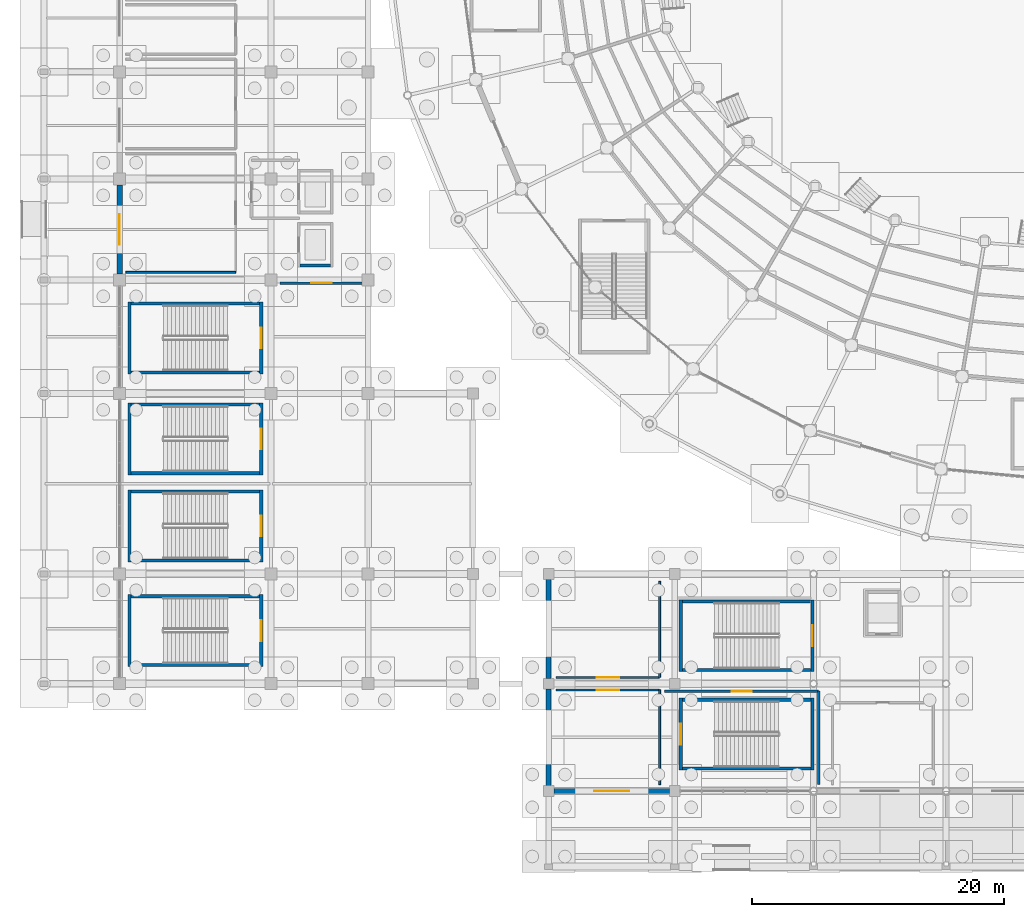
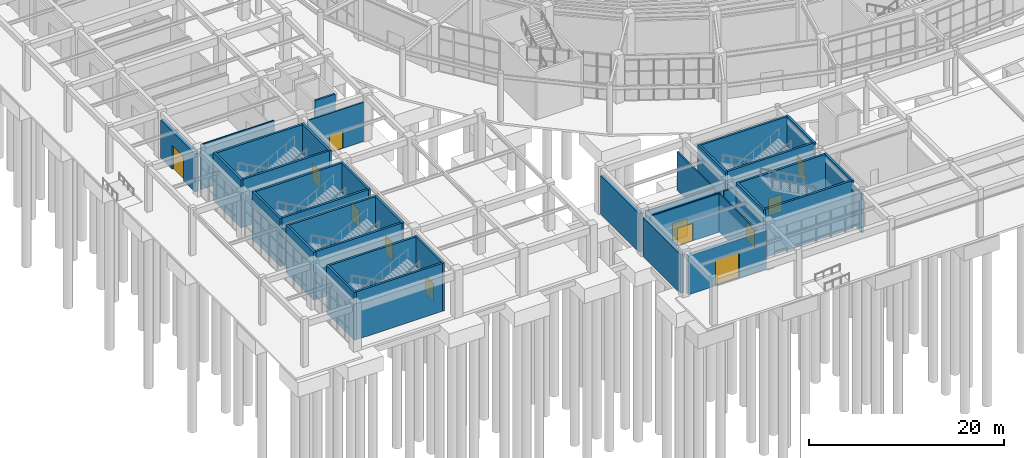
# One storey, part 81 of 121: 37 walls, 12 doors, 12 openings.
"""IFC4 building model written with IfcOpenShell, lengths in metres."""

from ifc_helpers import new_model, si_unit, direction, frame, frame_2d, origin, place, context, subcontext, project, spatial, rectangle, extrude, material, layer, layer_set, type_object, element, fill, save


model = new_model("IFC4")

# Units and contexts
model_context = context("Model", 3, precision=1e-05, world=origin(), true_north=direction((0.0, 1.0)))
body_context = subcontext(model_context, "Body", "Model", "MODEL_VIEW")
ifc_project = project(units=[si_unit("LENGTHUNIT", "METRE"), si_unit("AREAUNIT", "SQUARE_METRE"), si_unit("VOLUMEUNIT", "CUBIC_METRE"), si_unit("PLANEANGLEUNIT", "RADIAN"), si_unit("MASSUNIT", "GRAM", prefix="KILO")], contexts=[model_context])

# Site, building, storey
site_placement = place(None, origin())
site = spatial("IfcSite", under=ifc_project, at=site_placement, CompositionType="ELEMENT")
building_placement = place(site_placement, origin())
building = spatial("IfcBuilding", under=site, at=building_placement, Name="Cuetzalor Civic Arena", CompositionType="ELEMENT")
storey_placement = place(building_placement, origin())
storey = spatial("IfcBuildingStorey", under=building, at=storey_placement, Name="L00", CompositionType="ELEMENT", Elevation=0.0)

# Wall, opening, door
ifc_material_1 = material(Name="Acoustic steel-stud gypsum partition", Category="steel")
ifc_layer_1 = layer(ifc_material_1, 0.14990234375)
ifc_layer_set_1 = layer_set([ifc_layer_1], Name="Acoustic steel-stud gypsum partition")
wall_type_1 = type_object("IfcWallType", Name="AcousticGypsumPartition_150", PredefinedType="PARTITIONING", material=ifc_layer_set_1)
wall_1_placement = place(storey_placement, frame((-41.39990234375, -57.5, 0.0), z_axis=(0.0, 0.0, 1.0), x_axis=(1.0, 0.0, 0.0)))
wall_1 = element("IfcWall", 1, at=wall_1_placement, inside=storey, type_object=wall_type_1, Name="Interior Partition IWALL:L00:0073", PredefinedType="PARTITIONING", context=body_context, shape_type="SweptSolid", body=[
    extrude(rectangle(XDim=8.199951171875, YDim=0.14990234375, at=frame_2d((4.10009765625, 0.0))), origin(), (0.0, 0.0, 1.0), 4.824951171875),
])
opening_1_placement = place(wall_1_placement, frame((3.199951171875, 0.0, 0.0)))
opening_1 = element("IfcOpeningElement", 2, at=opening_1_placement, cuts=wall_1, Name="Opening ID-06", PredefinedType="OPENING", context=body_context, shape_type="SweptSolid", body=[
    extrude(rectangle(XDim=1.800048828125, YDim=2.199951171875, at=frame_2d((0.89990234375, 1.10009765625))), frame((0.0, 0.0849609375, 0.0), z_axis=(0.0, -1.0, 0.0), x_axis=(1.0, 0.0, 0.0)), (0.0, 0.0, 1.0), 0.169921875),
])
ifc_material_2 = material(Name="Glazed bronze acoustic double door", Category="metal")
door_type_1 = type_object("IfcDoorType", Name="PublicDoubleDoor_1800x2200", OperationType="DOUBLE_DOOR_SINGLE_SWING", PredefinedType="DOOR", material=ifc_material_2)
door_1_placement = place(opening_1_placement, origin())
door_1 = element("IfcDoor", 3, at=door_1_placement, inside=storey, type_object=door_type_1, Name="Door to Ticketing Hall West", OperationType="DOUBLE_DOOR_SINGLE_SWING", OverallHeight=2.199951171875, OverallWidth=1.800048828125, PredefinedType="DOOR", context=body_context, shape_type="SweptSolid", body=[
    extrude(rectangle(XDim=1.800048828125, YDim=2.199951171875, at=frame_2d((0.89990234375, 1.10009765625))), frame((0.0, 0.02490234375, 0.0), z_axis=(0.0, -1.0, 0.0), x_axis=(1.0, 0.0, 0.0)), (0.0, 0.0, 1.0), 0.050048828125),
])
fill(opening_1, door_1)

# Wall
wall_2_placement = place(storey_placement, frame((-33.199951171875, -57.5, 0.0), z_axis=(0.0, 0.0, 1.0), x_axis=(0.0, -1.0, 0.0)))
element("IfcWall", 4, at=wall_2_placement, inside=storey, type_object=wall_type_1, Name="Interior Partition IWALL:L00:0074", PredefinedType="PARTITIONING", context=body_context, shape_type="SweptSolid", body=[
    extrude(rectangle(XDim=7.5, YDim=0.14990234375, at=frame_2d((3.75, 0.0))), origin(), (0.0, 0.0, 1.0), 4.824951171875),
])

# Wall, opening, door
wall_3_placement = place(storey_placement, frame((-33.199951171875, -56.5, 0.0), z_axis=(0.0, 0.0, 1.0), x_axis=(-1.0, 0.0, 0.0)))
wall_3 = element("IfcWall", 5, at=wall_3_placement, inside=storey, type_object=wall_type_1, Name="Interior Partition IWALL:L00:0075", PredefinedType="PARTITIONING", context=body_context, shape_type="SweptSolid", body=[
    extrude(rectangle(XDim=8.199951171875, YDim=0.14990234375, at=frame_2d((4.10009765625, 0.0))), origin(), (0.0, 0.0, 1.0), 4.824951171875),
])
opening_2_placement = place(wall_3_placement, frame((3.199951171875, 0.0, 0.0)))
opening_2 = element("IfcOpeningElement", 6, at=opening_2_placement, cuts=wall_3, Name="Opening ID-06", PredefinedType="OPENING", context=body_context, shape_type="SweptSolid", body=[
    extrude(rectangle(XDim=1.800048828125, YDim=2.199951171875, at=frame_2d((0.89990234375, 1.10009765625))), frame((0.0, 0.0849609375, 0.0), z_axis=(0.0, -1.0, 0.0), x_axis=(1.0, 0.0, 0.0)), (0.0, 0.0, 1.0), 0.169921875),
])
door_2_placement = place(opening_2_placement, origin())
door_2 = element("IfcDoor", 7, at=door_2_placement, inside=storey, type_object=door_type_1, Name="Door to Arena Shop", OperationType="DOUBLE_DOOR_SINGLE_SWING", OverallHeight=2.199951171875, OverallWidth=1.800048828125, PredefinedType="DOOR", context=body_context, shape_type="SweptSolid", body=[
    extrude(rectangle(XDim=1.800048828125, YDim=2.199951171875, at=frame_2d((0.89990234375, 1.10009765625))), frame((0.0, 0.02490234375, 0.0), z_axis=(0.0, -1.0, 0.0), x_axis=(1.0, 0.0, 0.0)), (0.0, 0.0, 1.0), 0.050048828125),
])
fill(opening_2, door_2)

# Walls
wall_4_placement = place(storey_placement, frame((-33.199951171875, -48.89990234375, 0.0), z_axis=(0.0, 0.0, 1.0), x_axis=(0.0, -1.0, 0.0)))
element("IfcWall", 8, at=wall_4_placement, inside=storey, type_object=wall_type_1, Name="Interior Partition IWALL:L00:0076", PredefinedType="PARTITIONING", context=body_context, shape_type="SweptSolid", body=[
    extrude(rectangle(XDim=7.60009765625, YDim=0.14990234375, at=frame_2d((3.800048828125, 0.0))), origin(), (0.0, 0.0, 1.0), 4.824951171875),
])
wall_5_placement = place(storey_placement, frame((-66.800048828125, -24.39990234375, 0.0), z_axis=(0.0, 0.0, 1.0), x_axis=(-1.0, 0.0, 0.0)))
element("IfcWall", 9, at=wall_5_placement, inside=storey, type_object=wall_type_1, Name="Interior Partition IWALL:L00:0092", PredefinedType="PARTITIONING", context=body_context, shape_type="SweptSolid", body=[
    extrude(rectangle(XDim=8.699951171875, YDim=0.14990234375, at=frame_2d((4.35009765625, 0.0))), origin(), (0.0, 0.0, 1.0), 5.639892578125),
])

# Wall, opening, door
ifc_material_3 = material(Name="Puebla cantera gris stone on Concrete C35/45", Category="masonry")
ifc_layer_2 = layer(ifc_material_3, 0.419921875)
ifc_layer_set_2 = layer_set([ifc_layer_2], Name="Puebla cantera gris stone on Concrete C35/45")
wall_type_2 = type_object("IfcWallType", Name="CanteraStoneArcadeWall_420", PredefinedType="SOLIDWALL", material=ifc_layer_set_2)
wall_6_placement = place(storey_placement, frame((-32.406982421875, -65.5, 0.0), z_axis=(0.0, 0.0, 1.0), x_axis=(-1.0, 0.0, 0.0)))
wall_6 = element("IfcWall", 10, at=wall_6_placement, inside=storey, type_object=wall_type_2, Name="South Foyer Colonnade Entrance Wall L00-089", PredefinedType="SOLIDWALL", context=body_context, shape_type="SweptSolid", body=[
    extrude(rectangle(XDim=9.18603515625, YDim=0.419921875, at=frame_2d((4.593017578125, 0.0))), origin(), (0.0, 0.0, 1.0), 4.840087890625),
])
opening_3_placement = place(wall_6_placement, frame((3.193115234375, 0.0, 0.0)))
opening_3 = element("IfcOpeningElement", 11, at=opening_3_placement, cuts=wall_6, Name="Opening ED-03", PredefinedType="OPENING", context=body_context, shape_type="SweptSolid", body=[
    extrude(rectangle(XDim=2.800048828125, YDim=3.199951171875, at=frame_2d((1.39990234375, 1.60009765625))), frame((0.0, 0.219970703125, 0.0), z_axis=(0.0, -1.0, 0.0), x_axis=(1.0, 0.0, 0.0)), (0.0, 0.0, 1.0), 0.43994140625),
])
ifc_material_4 = material(Name="Thermally broken bronze steel and laminated glass", Category="steel")
door_type_2 = type_object("IfcDoorType", Name="MainColonnadeEntrance_2800x3200", OperationType="DOUBLE_DOOR_SINGLE_SWING", PredefinedType="DOOR", material=ifc_material_4)
door_3_placement = place(opening_3_placement, origin())
door_3 = element("IfcDoor", 12, at=door_3_placement, inside=storey, type_object=door_type_2, Name="Main entrance E01", OperationType="DOUBLE_DOOR_SINGLE_SWING", OverallHeight=3.199951171875, OverallWidth=2.800048828125, PredefinedType="DOOR", context=body_context, shape_type="SweptSolid", body=[
    extrude(rectangle(XDim=2.800048828125, YDim=3.199951171875, at=frame_2d((1.39990234375, 1.60009765625))), frame((0.0, 0.02490234375, 0.0), z_axis=(0.0, -1.0, 0.0), x_axis=(1.0, 0.0, 0.0)), (0.0, 0.0, 1.0), 0.050048828125),
])
fill(opening_3, door_3)

wall_7_placement = place(storey_placement, frame((-76.0, -24.54296875, 0.0), z_axis=(0.0, 0.0, 1.0), x_axis=(0.0, 1.0, 0.0)))
wall_7 = element("IfcWall", 13, at=wall_7_placement, inside=storey, type_object=wall_type_2, Name="V4W Colonnade Entrance Wall L00-121", PredefinedType="SOLIDWALL", context=body_context, shape_type="SweptSolid", body=[
    extrude(rectangle(XDim=7.0859375, YDim=0.419921875, at=frame_2d((3.54296875, 0.0))), origin(), (0.0, 0.0, 1.0), 4.739990234375),
])
opening_4_placement = place(wall_7_placement, frame((2.343017578125, 0.0, 0.0)))
opening_4 = element("IfcOpeningElement", 14, at=opening_4_placement, cuts=wall_7, Name="Opening ED-01", PredefinedType="OPENING", context=body_context, shape_type="SweptSolid", body=[
    extrude(rectangle(XDim=2.39990234375, YDim=3.0, at=frame_2d((1.199951171875, 1.5))), frame((0.0, 0.219970703125, 0.0), z_axis=(0.0, -1.0, 0.0), x_axis=(1.0, 0.0, 0.0)), (0.0, 0.0, 1.0), 0.43994140625),
])
ifc_material_5 = material(Name="Thermally broken bronze steel and laminated glass", Category="steel")
door_type_3 = type_object("IfcDoorType", Name="MainColonnadeEntrance_2400x3000", OperationType="DOUBLE_DOOR_SINGLE_SWING", PredefinedType="DOOR", material=ifc_material_5)
door_4_placement = place(opening_4_placement, origin())
door_4 = element("IfcDoor", 15, at=door_4_placement, inside=storey, type_object=door_type_3, Name="Main entrance E07", OperationType="DOUBLE_DOOR_SINGLE_SWING", OverallHeight=3.0, OverallWidth=2.39990234375, PredefinedType="DOOR", context=body_context, shape_type="SweptSolid", body=[
    extrude(rectangle(XDim=2.39990234375, YDim=3.0, at=frame_2d((1.199951171875, 1.5))), frame((0.0, 0.02490234375, 0.0), z_axis=(0.0, -1.0, 0.0), x_axis=(1.0, 0.0, 0.0)), (0.0, 0.0, 1.0), 0.050048828125),
])
fill(opening_4, door_4)

ifc_material_6 = material(Name="Concrete C40/50", Category="concrete")
ifc_layer_3 = layer(ifc_material_6, 0.25)
ifc_layer_set_3 = layer_set([ifc_layer_3], Name="Concrete C40/50")
wall_type_3 = type_object("IfcWallType", Name="ConcreteCoreShearWall_250", PredefinedType="SHEAR", material=ifc_layer_set_3)
wall_8_placement = place(storey_placement, frame((-31.52490234375, -63.85009765625, 0.0), z_axis=(0.0, 0.0, 1.0), x_axis=(0.0, 1.0, 0.0)))
wall_8 = element("IfcWall", 16, at=wall_8_placement, inside=storey, type_object=wall_type_3, Name="Stair Core Shear Wall ST-09-L00-W", PredefinedType="SHEAR", context=body_context, shape_type="SweptSolid", body=[
    extrude(rectangle(XDim=5.7001953125, YDim=0.25, at=frame_2d((2.85009765625, 0.0))), origin(), (0.0, 0.0, 1.0), 6.0),
])
opening_5_placement = place(wall_8_placement, frame((2.02490234375, 0.0, 0.0)))
opening_5 = element("IfcOpeningElement", 17, at=opening_5_placement, cuts=wall_8, Name="Opening FD-04", PredefinedType="OPENING", context=body_context, shape_type="SweptSolid", body=[
    extrude(rectangle(XDim=1.64990234375, YDim=2.199951171875, at=frame_2d((0.824951171875, 1.10009765625))), frame((0.0, 0.135009765625, 0.0), z_axis=(0.0, -1.0, 0.0), x_axis=(1.0, 0.0, 0.0)), (0.0, 0.0, 1.0), 0.27001953125),
])
ifc_material_7 = material(Name="Fire-rated steel stair exit double door", Category="steel")
door_type_4 = type_object("IfcDoorType", Name="StairFireDoubleDoor_1650x2200", OperationType="DOUBLE_DOOR_SINGLE_SWING", PredefinedType="DOOR", material=ifc_material_7)
door_5_placement = place(opening_5_placement, origin())
door_5 = element("IfcDoor", 18, at=door_5_placement, inside=storey, type_object=door_type_4, Name="Fire Stair Door ST-09 L00", OperationType="DOUBLE_DOOR_SINGLE_SWING", OverallHeight=2.199951171875, OverallWidth=1.64990234375, PredefinedType="DOOR", context=body_context, shape_type="SweptSolid", body=[
    extrude(rectangle(XDim=1.64990234375, YDim=2.199951171875, at=frame_2d((0.824951171875, 1.10009765625))), frame((0.0, 0.02490234375, 0.0), z_axis=(0.0, -1.0, 0.0), x_axis=(1.0, 0.0, 0.0)), (0.0, 0.0, 1.0), 0.050048828125),
])
fill(opening_5, door_5)

# Walls
wall_9_placement = place(storey_placement, frame((-31.39990234375, -58.27490234375, 0.0), z_axis=(0.0, 0.0, 1.0), x_axis=(1.0, 0.0, 0.0)))
element("IfcWall", 19, at=wall_9_placement, inside=storey, type_object=wall_type_3, Name="Stair Core Shear Wall ST-09-L00-N", PredefinedType="SHEAR", context=body_context, shape_type="SweptSolid", body=[
    extrude(rectangle(XDim=10.199951171875, YDim=0.25, at=frame_2d((5.10009765625, 0.0))), origin(), (0.0, 0.0, 1.0), 6.0),
])
wall_10_placement = place(storey_placement, frame((-21.074951171875, -58.14990234375, 0.0), z_axis=(0.0, 0.0, 1.0), x_axis=(0.0, -1.0, 0.0)))
element("IfcWall", 20, at=wall_10_placement, inside=storey, type_object=wall_type_3, Name="Stair Core Shear Wall ST-09-L00-E", PredefinedType="SHEAR", context=body_context, shape_type="SweptSolid", body=[
    extrude(rectangle(XDim=5.7001953125, YDim=0.25, at=frame_2d((2.85009765625, 0.0))), origin(), (0.0, 0.0, 1.0), 6.0),
])
wall_11_placement = place(storey_placement, frame((-21.199951171875, -63.72509765625, 0.0), z_axis=(0.0, 0.0, 1.0), x_axis=(-1.0, 0.0, 0.0)))
element("IfcWall", 21, at=wall_11_placement, inside=storey, type_object=wall_type_3, Name="Stair Core Shear Wall ST-09-L00-S", PredefinedType="SHEAR", context=body_context, shape_type="SweptSolid", body=[
    extrude(rectangle(XDim=10.199951171875, YDim=0.25, at=frame_2d((5.10009765625, 0.0))), origin(), (0.0, 0.0, 1.0), 6.0),
])
wall_12_placement = place(storey_placement, frame((-31.52490234375, -56.050048828125, 0.0), z_axis=(0.0, 0.0, 1.0), x_axis=(0.0, 1.0, 0.0)))
element("IfcWall", 22, at=wall_12_placement, inside=storey, type_object=wall_type_3, Name="Stair Core Shear Wall ST-10-L00-W", PredefinedType="SHEAR", context=body_context, shape_type="SweptSolid", body=[
    extrude(rectangle(XDim=5.699951171875, YDim=0.25, at=frame_2d((2.85009765625, 0.0))), origin(), (0.0, 0.0, 1.0), 6.0),
])
wall_13_placement = place(storey_placement, frame((-31.39990234375, -50.47509765625, 0.0), z_axis=(0.0, 0.0, 1.0), x_axis=(1.0, 0.0, 0.0)))
element("IfcWall", 23, at=wall_13_placement, inside=storey, type_object=wall_type_3, Name="Stair Core Shear Wall ST-10-L00-N", PredefinedType="SHEAR", context=body_context, shape_type="SweptSolid", body=[
    extrude(rectangle(XDim=10.199951171875, YDim=0.25, at=frame_2d((5.10009765625, 0.0))), origin(), (0.0, 0.0, 1.0), 6.0),
])

# Wall, opening, door
wall_14_placement = place(storey_placement, frame((-21.074951171875, -50.35009765625, 0.0), z_axis=(0.0, 0.0, 1.0), x_axis=(0.0, -1.0, 0.0)))
wall_14 = element("IfcWall", 24, at=wall_14_placement, inside=storey, type_object=wall_type_3, Name="Stair Core Shear Wall ST-10-L00-E", PredefinedType="SHEAR", context=body_context, shape_type="SweptSolid", body=[
    extrude(rectangle(XDim=5.699951171875, YDim=0.25, at=frame_2d((2.85009765625, 0.0))), origin(), (0.0, 0.0, 1.0), 6.0),
])
opening_6_placement = place(wall_14_placement, frame((2.02490234375, 0.0, 0.0)))
opening_6 = element("IfcOpeningElement", 25, at=opening_6_placement, cuts=wall_14, Name="Opening FD-04", PredefinedType="OPENING", context=body_context, shape_type="SweptSolid", body=[
    extrude(rectangle(XDim=1.64990234375, YDim=2.199951171875, at=frame_2d((0.824951171875, 1.10009765625))), frame((0.0, 0.135009765625, 0.0), z_axis=(0.0, -1.0, 0.0), x_axis=(1.0, 0.0, 0.0)), (0.0, 0.0, 1.0), 0.27001953125),
])
door_6_placement = place(opening_6_placement, origin())
door_6 = element("IfcDoor", 26, at=door_6_placement, inside=storey, type_object=door_type_4, Name="Fire Stair Door ST-10 L00", OperationType="DOUBLE_DOOR_SINGLE_SWING", OverallHeight=2.199951171875, OverallWidth=1.64990234375, PredefinedType="DOOR", context=body_context, shape_type="SweptSolid", body=[
    extrude(rectangle(XDim=1.64990234375, YDim=2.199951171875, at=frame_2d((0.824951171875, 1.10009765625))), frame((0.0, 0.02490234375, 0.0), z_axis=(0.0, -1.0, 0.0), x_axis=(1.0, 0.0, 0.0)), (0.0, 0.0, 1.0), 0.050048828125),
])
fill(opening_6, door_6)

# Walls
wall_15_placement = place(storey_placement, frame((-21.199951171875, -55.925048828125, 0.0), z_axis=(0.0, 0.0, 1.0), x_axis=(-1.0, 0.0, 0.0)))
element("IfcWall", 27, at=wall_15_placement, inside=storey, type_object=wall_type_3, Name="Stair Core Shear Wall ST-10-L00-S", PredefinedType="SHEAR", context=body_context, shape_type="SweptSolid", body=[
    extrude(rectangle(XDim=10.199951171875, YDim=0.25, at=frame_2d((5.10009765625, 0.0))), origin(), (0.0, 0.0, 1.0), 6.0),
])
wall_16_placement = place(storey_placement, frame((-75.22509765625, -55.64990234375, 0.0), z_axis=(0.0, 0.0, 1.0), x_axis=(0.0, 1.0, 0.0)))
element("IfcWall", 28, at=wall_16_placement, inside=storey, type_object=wall_type_3, Name="Stair Core Shear Wall ST-13-L00-W", PredefinedType="SHEAR", context=body_context, shape_type="SweptSolid", body=[
    extrude(rectangle(XDim=5.699951171875, YDim=0.25, at=frame_2d((2.85009765625, 0.0))), origin(), (0.0, 0.0, 1.0), 6.0),
])
wall_17_placement = place(storey_placement, frame((-75.10009765625, -50.074951171875, 0.0), z_axis=(0.0, 0.0, 1.0), x_axis=(1.0, 0.0, 0.0)))
element("IfcWall", 29, at=wall_17_placement, inside=storey, type_object=wall_type_3, Name="Stair Core Shear Wall ST-13-L00-N", PredefinedType="SHEAR", context=body_context, shape_type="SweptSolid", body=[
    extrude(rectangle(XDim=10.2001953125, YDim=0.25, at=frame_2d((5.10009765625, 0.0))), origin(), (0.0, 0.0, 1.0), 6.0),
])

# Wall, opening, door
wall_18_placement = place(storey_placement, frame((-64.77490234375, -49.949951171875, 0.0), z_axis=(0.0, 0.0, 1.0), x_axis=(0.0, -1.0, 0.0)))
wall_18 = element("IfcWall", 30, at=wall_18_placement, inside=storey, type_object=wall_type_3, Name="Stair Core Shear Wall ST-13-L00-E", PredefinedType="SHEAR", context=body_context, shape_type="SweptSolid", body=[
    extrude(rectangle(XDim=5.699951171875, YDim=0.25, at=frame_2d((2.85009765625, 0.0))), origin(), (0.0, 0.0, 1.0), 6.0),
])
opening_7_placement = place(wall_18_placement, frame((2.02490234375, 0.0, 0.0)))
opening_7 = element("IfcOpeningElement", 31, at=opening_7_placement, cuts=wall_18, Name="Opening FD-04", PredefinedType="OPENING", context=body_context, shape_type="SweptSolid", body=[
    extrude(rectangle(XDim=1.64990234375, YDim=2.199951171875, at=frame_2d((0.824951171875, 1.10009765625))), frame((0.0, 0.135009765625, 0.0), z_axis=(0.0, -1.0, 0.0), x_axis=(1.0, 0.0, 0.0)), (0.0, 0.0, 1.0), 0.27001953125),
])
door_7_placement = place(opening_7_placement, origin())
door_7 = element("IfcDoor", 32, at=door_7_placement, inside=storey, type_object=door_type_4, Name="Fire Stair Door ST-13 L00", OperationType="DOUBLE_DOOR_SINGLE_SWING", OverallHeight=2.199951171875, OverallWidth=1.64990234375, PredefinedType="DOOR", context=body_context, shape_type="SweptSolid", body=[
    extrude(rectangle(XDim=1.64990234375, YDim=2.199951171875, at=frame_2d((0.824951171875, 1.10009765625))), frame((0.0, 0.02490234375, 0.0), z_axis=(0.0, -1.0, 0.0), x_axis=(1.0, 0.0, 0.0)), (0.0, 0.0, 1.0), 0.050048828125),
])
fill(opening_7, door_7)

# Walls
wall_19_placement = place(storey_placement, frame((-64.89990234375, -55.52490234375, 0.0), z_axis=(0.0, 0.0, 1.0), x_axis=(-1.0, 0.0, 0.0)))
element("IfcWall", 33, at=wall_19_placement, inside=storey, type_object=wall_type_3, Name="Stair Core Shear Wall ST-13-L00-S", PredefinedType="SHEAR", context=body_context, shape_type="SweptSolid", body=[
    extrude(rectangle(XDim=10.2001953125, YDim=0.25, at=frame_2d((5.10009765625, 0.0))), origin(), (0.0, 0.0, 1.0), 6.0),
])
wall_20_placement = place(storey_placement, frame((-75.22509765625, -47.35009765625, 0.0), z_axis=(0.0, 0.0, 1.0), x_axis=(0.0, 1.0, 0.0)))
element("IfcWall", 34, at=wall_20_placement, inside=storey, type_object=wall_type_3, Name="Stair Core Shear Wall ST-14-L00-W", PredefinedType="SHEAR", context=body_context, shape_type="SweptSolid", body=[
    extrude(rectangle(XDim=5.7001953125, YDim=0.25, at=frame_2d((2.85009765625, 0.0))), origin(), (0.0, 0.0, 1.0), 6.0),
])
wall_21_placement = place(storey_placement, frame((-75.10009765625, -41.77490234375, 0.0), z_axis=(0.0, 0.0, 1.0), x_axis=(1.0, 0.0, 0.0)))
element("IfcWall", 35, at=wall_21_placement, inside=storey, type_object=wall_type_3, Name="Stair Core Shear Wall ST-14-L00-N", PredefinedType="SHEAR", context=body_context, shape_type="SweptSolid", body=[
    extrude(rectangle(XDim=10.2001953125, YDim=0.25, at=frame_2d((5.10009765625, 0.0))), origin(), (0.0, 0.0, 1.0), 6.0),
])

# Wall, opening, door
wall_22_placement = place(storey_placement, frame((-64.77490234375, -41.64990234375, 0.0), z_axis=(0.0, 0.0, 1.0), x_axis=(0.0, -1.0, 0.0)))
wall_22 = element("IfcWall", 36, at=wall_22_placement, inside=storey, type_object=wall_type_3, Name="Stair Core Shear Wall ST-14-L00-E", PredefinedType="SHEAR", context=body_context, shape_type="SweptSolid", body=[
    extrude(rectangle(XDim=5.7001953125, YDim=0.25, at=frame_2d((2.85009765625, 0.0))), origin(), (0.0, 0.0, 1.0), 6.0),
])
opening_8_placement = place(wall_22_placement, frame((2.02490234375, 0.0, 0.0)))
opening_8 = element("IfcOpeningElement", 37, at=opening_8_placement, cuts=wall_22, Name="Opening FD-04", PredefinedType="OPENING", context=body_context, shape_type="SweptSolid", body=[
    extrude(rectangle(XDim=1.64990234375, YDim=2.199951171875, at=frame_2d((0.824951171875, 1.10009765625))), frame((0.0, 0.135009765625, 0.0), z_axis=(0.0, -1.0, 0.0), x_axis=(1.0, 0.0, 0.0)), (0.0, 0.0, 1.0), 0.27001953125),
])
door_8_placement = place(opening_8_placement, origin())
door_8 = element("IfcDoor", 38, at=door_8_placement, inside=storey, type_object=door_type_4, Name="Fire Stair Door ST-14 L00", OperationType="DOUBLE_DOOR_SINGLE_SWING", OverallHeight=2.199951171875, OverallWidth=1.64990234375, PredefinedType="DOOR", context=body_context, shape_type="SweptSolid", body=[
    extrude(rectangle(XDim=1.64990234375, YDim=2.199951171875, at=frame_2d((0.824951171875, 1.10009765625))), frame((0.0, 0.02490234375, 0.0), z_axis=(0.0, -1.0, 0.0), x_axis=(1.0, 0.0, 0.0)), (0.0, 0.0, 1.0), 0.050048828125),
])
fill(opening_8, door_8)

# Walls
wall_23_placement = place(storey_placement, frame((-64.89990234375, -47.22509765625, 0.0), z_axis=(0.0, 0.0, 1.0), x_axis=(-1.0, 0.0, 0.0)))
element("IfcWall", 39, at=wall_23_placement, inside=storey, type_object=wall_type_3, Name="Stair Core Shear Wall ST-14-L00-S", PredefinedType="SHEAR", context=body_context, shape_type="SweptSolid", body=[
    extrude(rectangle(XDim=10.2001953125, YDim=0.25, at=frame_2d((5.10009765625, 0.0))), origin(), (0.0, 0.0, 1.0), 6.0),
])
wall_24_placement = place(storey_placement, frame((-75.22509765625, -40.449951171875, 0.0), z_axis=(0.0, 0.0, 1.0), x_axis=(0.0, 1.0, 0.0)))
element("IfcWall", 40, at=wall_24_placement, inside=storey, type_object=wall_type_3, Name="Stair Core Shear Wall ST-15-L00-W", PredefinedType="SHEAR", context=body_context, shape_type="SweptSolid", body=[
    extrude(rectangle(XDim=5.699951171875, YDim=0.25, at=frame_2d((2.85009765625, 0.0))), origin(), (0.0, 0.0, 1.0), 6.0),
])
wall_25_placement = place(storey_placement, frame((-75.10009765625, -34.875, 0.0), z_axis=(0.0, 0.0, 1.0), x_axis=(1.0, 0.0, 0.0)))
element("IfcWall", 41, at=wall_25_placement, inside=storey, type_object=wall_type_3, Name="Stair Core Shear Wall ST-15-L00-N", PredefinedType="SHEAR", context=body_context, shape_type="SweptSolid", body=[
    extrude(rectangle(XDim=10.2001953125, YDim=0.25, at=frame_2d((5.10009765625, 0.0))), origin(), (0.0, 0.0, 1.0), 6.0),
])

# Wall, opening, door
wall_26_placement = place(storey_placement, frame((-64.77490234375, -34.75, 0.0), z_axis=(0.0, 0.0, 1.0), x_axis=(0.0, -1.0, 0.0)))
wall_26 = element("IfcWall", 42, at=wall_26_placement, inside=storey, type_object=wall_type_3, Name="Stair Core Shear Wall ST-15-L00-E", PredefinedType="SHEAR", context=body_context, shape_type="SweptSolid", body=[
    extrude(rectangle(XDim=5.699951171875, YDim=0.25, at=frame_2d((2.85009765625, 0.0))), origin(), (0.0, 0.0, 1.0), 6.0),
])
opening_9_placement = place(wall_26_placement, frame((2.02490234375, 0.0, 0.0)))
opening_9 = element("IfcOpeningElement", 43, at=opening_9_placement, cuts=wall_26, Name="Opening FD-04", PredefinedType="OPENING", context=body_context, shape_type="SweptSolid", body=[
    extrude(rectangle(XDim=1.64990234375, YDim=2.199951171875, at=frame_2d((0.824951171875, 1.10009765625))), frame((0.0, 0.135009765625, 0.0), z_axis=(0.0, -1.0, 0.0), x_axis=(1.0, 0.0, 0.0)), (0.0, 0.0, 1.0), 0.27001953125),
])
door_9_placement = place(opening_9_placement, origin())
door_9 = element("IfcDoor", 44, at=door_9_placement, inside=storey, type_object=door_type_4, Name="Fire Stair Door ST-15 L00", OperationType="DOUBLE_DOOR_SINGLE_SWING", OverallHeight=2.199951171875, OverallWidth=1.64990234375, PredefinedType="DOOR", context=body_context, shape_type="SweptSolid", body=[
    extrude(rectangle(XDim=1.64990234375, YDim=2.199951171875, at=frame_2d((0.824951171875, 1.10009765625))), frame((0.0, 0.02490234375, 0.0), z_axis=(0.0, -1.0, 0.0), x_axis=(1.0, 0.0, 0.0)), (0.0, 0.0, 1.0), 0.050048828125),
])
fill(opening_9, door_9)

# Walls
wall_27_placement = place(storey_placement, frame((-64.89990234375, -40.324951171875, 0.0), z_axis=(0.0, 0.0, 1.0), x_axis=(-1.0, 0.0, 0.0)))
element("IfcWall", 45, at=wall_27_placement, inside=storey, type_object=wall_type_3, Name="Stair Core Shear Wall ST-15-L00-S", PredefinedType="SHEAR", context=body_context, shape_type="SweptSolid", body=[
    extrude(rectangle(XDim=10.2001953125, YDim=0.25, at=frame_2d((5.10009765625, 0.0))), origin(), (0.0, 0.0, 1.0), 6.0),
])
wall_28_placement = place(storey_placement, frame((-75.22509765625, -32.449951171875, 0.0), z_axis=(0.0, 0.0, 1.0), x_axis=(0.0, 1.0, 0.0)))
element("IfcWall", 46, at=wall_28_placement, inside=storey, type_object=wall_type_3, Name="Stair Core Shear Wall ST-16-L00-W", PredefinedType="SHEAR", context=body_context, shape_type="SweptSolid", body=[
    extrude(rectangle(XDim=5.699951171875, YDim=0.25, at=frame_2d((2.85009765625, 0.0))), origin(), (0.0, 0.0, 1.0), 6.0),
])
wall_29_placement = place(storey_placement, frame((-75.10009765625, -26.875, 0.0), z_axis=(0.0, 0.0, 1.0), x_axis=(1.0, 0.0, 0.0)))
element("IfcWall", 47, at=wall_29_placement, inside=storey, type_object=wall_type_3, Name="Stair Core Shear Wall ST-16-L00-N", PredefinedType="SHEAR", context=body_context, shape_type="SweptSolid", body=[
    extrude(rectangle(XDim=10.2001953125, YDim=0.25, at=frame_2d((5.10009765625, 0.0))), origin(), (0.0, 0.0, 1.0), 6.0),
])

# Wall, opening, door
wall_30_placement = place(storey_placement, frame((-64.77490234375, -26.75, 0.0), z_axis=(0.0, 0.0, 1.0), x_axis=(0.0, -1.0, 0.0)))
wall_30 = element("IfcWall", 48, at=wall_30_placement, inside=storey, type_object=wall_type_3, Name="Stair Core Shear Wall ST-16-L00-E", PredefinedType="SHEAR", context=body_context, shape_type="SweptSolid", body=[
    extrude(rectangle(XDim=5.699951171875, YDim=0.25, at=frame_2d((2.85009765625, 0.0))), origin(), (0.0, 0.0, 1.0), 6.0),
])
opening_10_placement = place(wall_30_placement, frame((2.02490234375, 0.0, 0.0)))
opening_10 = element("IfcOpeningElement", 49, at=opening_10_placement, cuts=wall_30, Name="Opening FD-04", PredefinedType="OPENING", context=body_context, shape_type="SweptSolid", body=[
    extrude(rectangle(XDim=1.64990234375, YDim=2.199951171875, at=frame_2d((0.824951171875, 1.10009765625))), frame((0.0, 0.135009765625, 0.0), z_axis=(0.0, -1.0, 0.0), x_axis=(1.0, 0.0, 0.0)), (0.0, 0.0, 1.0), 0.27001953125),
])
door_10_placement = place(opening_10_placement, origin())
door_10 = element("IfcDoor", 50, at=door_10_placement, inside=storey, type_object=door_type_4, Name="Fire Stair Door ST-16 L00", OperationType="DOUBLE_DOOR_SINGLE_SWING", OverallHeight=2.199951171875, OverallWidth=1.64990234375, PredefinedType="DOOR", context=body_context, shape_type="SweptSolid", body=[
    extrude(rectangle(XDim=1.64990234375, YDim=2.199951171875, at=frame_2d((0.824951171875, 1.10009765625))), frame((0.0, 0.02490234375, 0.0), z_axis=(0.0, -1.0, 0.0), x_axis=(1.0, 0.0, 0.0)), (0.0, 0.0, 1.0), 0.050048828125),
])
fill(opening_10, door_10)

# Wall
wall_31_placement = place(storey_placement, frame((-64.89990234375, -32.324951171875, 0.0), z_axis=(0.0, 0.0, 1.0), x_axis=(-1.0, 0.0, 0.0)))
element("IfcWall", 51, at=wall_31_placement, inside=storey, type_object=wall_type_3, Name="Stair Core Shear Wall ST-16-L00-S", PredefinedType="SHEAR", context=body_context, shape_type="SweptSolid", body=[
    extrude(rectangle(XDim=10.2001953125, YDim=0.25, at=frame_2d((5.10009765625, 0.0))), origin(), (0.0, 0.0, 1.0), 6.0),
])

# Wall, opening, door
ifc_material_8 = material(Name="Fire-rated masonry and gypsum partition", Category="masonry")
ifc_layer_4 = layer(ifc_material_8, 0.199951171875)
ifc_layer_set_4 = layer_set([ifc_layer_4], Name="Fire-rated masonry and gypsum partition")
wall_type_4 = type_object("IfcWallType", Name="FireCompartmentWall_200", PredefinedType="PARTITIONING", material=ifc_layer_set_4)
wall_32_placement = place(storey_placement, frame((-32.800048828125, -57.60009765625, 0.0), z_axis=(0.0, 0.0, 1.0), x_axis=(1.0, 0.0, 0.0)))
wall_32 = element("IfcWall", 52, at=wall_32_placement, inside=storey, type_object=wall_type_4, Name="Interior Partition IWALL:L00:0087", PredefinedType="PARTITIONING", context=body_context, shape_type="SweptSolid", body=[
    extrude(rectangle(XDim=12.199951171875, YDim=0.199951171875, at=frame_2d((6.10009765625, 0.0))), origin(), (0.0, 0.0, 1.0), 5.02490234375),
])
opening_11_placement = place(wall_32_placement, frame((5.300048828125, 0.0, 0.0)))
opening_11 = element("IfcOpeningElement", 53, at=opening_11_placement, cuts=wall_32, Name="Opening FD-05", PredefinedType="OPENING", context=body_context, shape_type="SweptSolid", body=[
    extrude(rectangle(XDim=1.60009765625, YDim=2.199951171875, at=frame_2d((0.800048828125, 1.10009765625))), frame((0.0, 0.10986328125, 0.0), z_axis=(0.0, -1.0, 0.0), x_axis=(1.0, 0.0, 0.0)), (0.0, 0.0, 1.0), 0.219970703125),
])
ifc_material_9 = material(Name="Fire-rated smoke-seal lobby double door", Category="steel")
door_type_5 = type_object("IfcDoorType", Name="FireLobbyDoubleDoor_1600x2200", OperationType="DOUBLE_DOOR_SINGLE_SWING", PredefinedType="DOOR", material=ifc_material_9)
door_11_placement = place(opening_11_placement, origin())
door_11 = element("IfcDoor", 54, at=door_11_placement, inside=storey, type_object=door_type_5, Name="Door to Protected Exit Lobby Foyer West L00", OperationType="DOUBLE_DOOR_SINGLE_SWING", OverallHeight=2.199951171875, OverallWidth=1.60009765625, PredefinedType="DOOR", context=body_context, shape_type="SweptSolid", body=[
    extrude(rectangle(XDim=1.60009765625, YDim=2.199951171875, at=frame_2d((0.800048828125, 1.10009765625))), frame((0.0, 0.02490234375, 0.0), z_axis=(0.0, -1.0, 0.0), x_axis=(1.0, 0.0, 0.0)), (0.0, 0.0, 1.0), 0.050048828125),
])
fill(opening_11, door_11)

# Wall
wall_33_placement = place(storey_placement, frame((-20.60009765625, -57.60009765625, 0.0), z_axis=(0.0, 0.0, 1.0), x_axis=(0.0, -1.0, 0.0)))
element("IfcWall", 55, at=wall_33_placement, inside=storey, type_object=wall_type_4, Name="Interior Partition IWALL:L00:0088", PredefinedType="PARTITIONING", context=body_context, shape_type="SweptSolid", body=[
    extrude(rectangle(XDim=7.39990234375, YDim=0.199951171875, at=frame_2d((3.699951171875, 0.0))), origin(), (0.0, 0.0, 1.0), 4.824951171875),
])

# Wall, opening, door
wall_34_placement = place(storey_placement, frame((-63.300048828125, -25.25, 0.0), z_axis=(0.0, 0.0, 1.0), x_axis=(1.0, 0.0, 0.0)))
wall_34 = element("IfcWall", 56, at=wall_34_placement, inside=storey, type_object=wall_type_4, Name="Interior Partition IWALL:L00:0109", PredefinedType="PARTITIONING", context=body_context, shape_type="SweptSolid", body=[
    extrude(rectangle(XDim=6.60009765625, YDim=0.199951171875, at=frame_2d((3.300048828125, 0.0))), origin(), (0.0, 0.0, 1.0), 4.925048828125),
])
opening_12_placement = place(wall_34_placement, frame((2.5, 0.0, 0.0)))
opening_12 = element("IfcOpeningElement", 57, at=opening_12_placement, cuts=wall_34, Name="Opening FD-05", PredefinedType="OPENING", context=body_context, shape_type="SweptSolid", body=[
    extrude(rectangle(XDim=1.60009765625, YDim=2.199951171875, at=frame_2d((0.800048828125, 1.10009765625))), frame((0.0, 0.10986328125, 0.0), z_axis=(0.0, -1.0, 0.0), x_axis=(1.0, 0.0, 0.0)), (0.0, 0.0, 1.0), 0.219970703125),
])
door_12_placement = place(opening_12_placement, origin())
door_12 = element("IfcDoor", 58, at=door_12_placement, inside=storey, type_object=door_type_5, Name="Fire Door Protected Exit Corridor West L00", OperationType="DOUBLE_DOOR_SINGLE_SWING", OverallHeight=2.199951171875, OverallWidth=1.60009765625, PredefinedType="DOOR", context=body_context, shape_type="SweptSolid", body=[
    extrude(rectangle(XDim=1.60009765625, YDim=2.199951171875, at=frame_2d((0.800048828125, 1.10009765625))), frame((0.0, 0.02490234375, 0.0), z_axis=(0.0, -1.0, 0.0), x_axis=(1.0, 0.0, 0.0)), (0.0, 0.0, 1.0), 0.050048828125),
])
fill(opening_12, door_12)

# Walls
ifc_material_10 = material(Name="Concrete C40/50", Category="concrete")
ifc_layer_5 = layer(ifc_material_10, 0.219970703125)
ifc_layer_set_5 = layer_set([ifc_layer_5], Name="Concrete C40/50")
wall_type_5 = type_object("IfcWallType", Name="LiftShaftShearWall_220", PredefinedType="SHEAR", material=ifc_layer_set_5)
wall_35_placement = place(storey_placement, frame((-59.300048828125, -23.860107421875, 0.0), z_axis=(0.0, 0.0, 1.0), x_axis=(-1.0, 0.0, 0.0)))
element("IfcWall", 59, at=wall_35_placement, inside=storey, type_object=wall_type_5, Name="Lift Shaft Wall LP-03-L00-S", PredefinedType="SHEAR", context=body_context, shape_type="SweptSolid", body=[
    extrude(rectangle(XDim=2.39990234375, YDim=0.219970703125, at=frame_2d((1.199951171875, 0.0))), origin(), (0.0, 0.0, 1.0), 6.0),
])
ifc_material_11 = material(Name="Polychrome Talavera ceramic on Concrete C35/45", Category="concrete")
ifc_layer_6 = layer(ifc_material_11, 0.3798828125)
ifc_layer_set_6 = layer_set([ifc_layer_6], Name="Polychrome Talavera ceramic on Concrete C35/45")
wall_type_6 = type_object("IfcWallType", Name="TalaveraSpandrelWall_380", PredefinedType="SOLIDWALL", material=ifc_layer_set_6)
wall_36_placement = place(storey_placement, frame((-42.0, -65.093017578125, 0.0), z_axis=(0.0, 0.0, 1.0), x_axis=(0.0, 1.0, 0.0)))
element("IfcWall", 60, at=wall_36_placement, inside=storey, type_object=wall_type_6, Name="South Foyer West End Wall L00-095", PredefinedType="SOLIDWALL", context=body_context, shape_type="SweptSolid", body=[
    extrude(rectangle(XDim=7.68603515625, YDim=0.3798828125, at=frame_2d((3.843017578125, 0.0))), origin(), (0.0, 0.0, 1.0), 4.840087890625),
])
wall_37_placement = place(storey_placement, frame((-42.0, -56.593017578125, 0.0), z_axis=(0.0, 0.0, 1.0), x_axis=(0.0, 1.0, 0.0)))
element("IfcWall", 61, at=wall_37_placement, inside=storey, type_object=wall_type_6, Name="South Foyer West End Wall L00-097", PredefinedType="SOLIDWALL", context=body_context, shape_type="SweptSolid", body=[
    extrude(rectangle(XDim=7.885986328125, YDim=0.3798828125, at=frame_2d((3.94287109375, 0.0))), origin(), (0.0, 0.0, 1.0), 4.840087890625),
])

save(model, "model.ifc")
